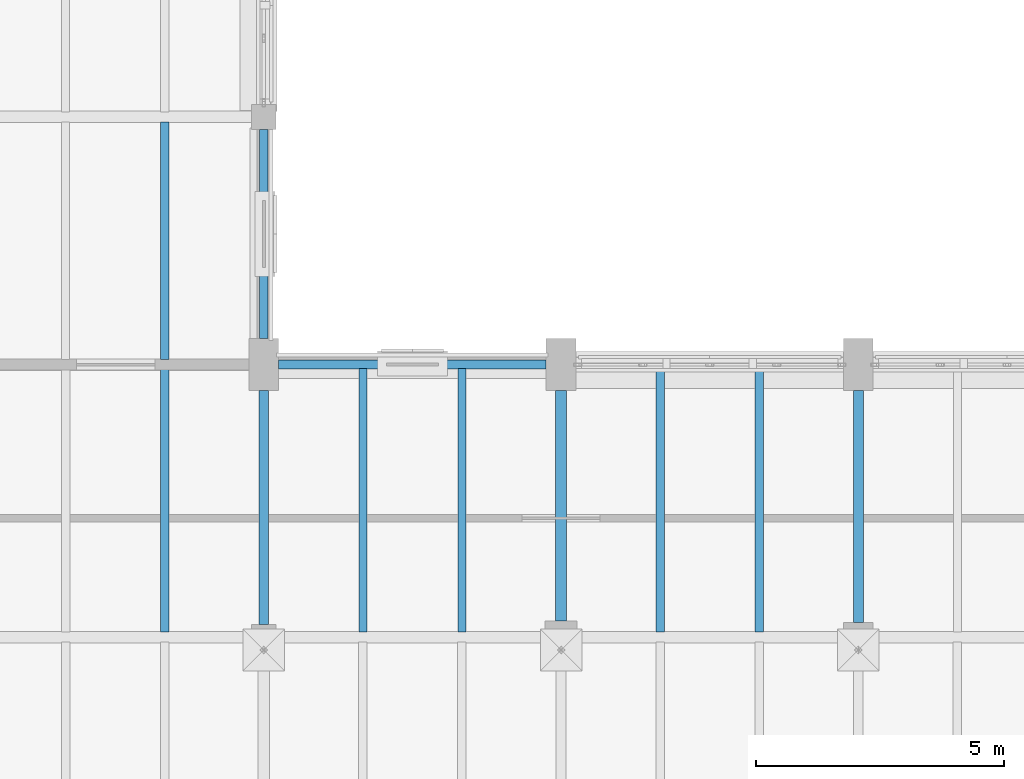
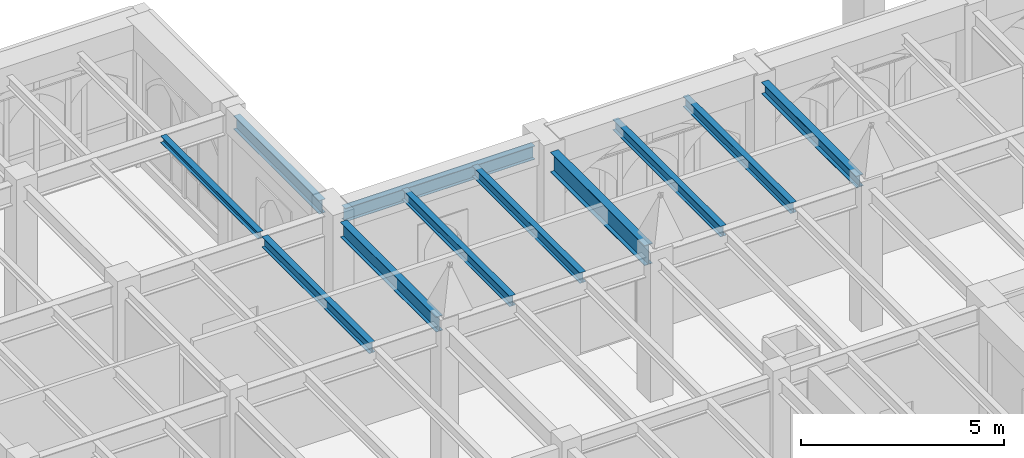
# One storey, part 55 of 143: 11 beams.
"""IFC4 building model written with IfcOpenShell, lengths in metres."""

from ifc_helpers import new_model, si_unit, direction, frame, origin, origin_2d, place, context, subcontext, project, spatial, i_section, extrude, material, material_profile, profile_set, type_object, element, save


model = new_model("IFC4")

# Units and contexts
model_context = context("Model", 3, precision=1e-05, world=origin(), true_north=direction((0.0, 1.0)))
body_context = subcontext(model_context, "Body", "Model", "MODEL_VIEW")
ifc_project = project(units=[si_unit("LENGTHUNIT", "METRE"), si_unit("AREAUNIT", "SQUARE_METRE"), si_unit("VOLUMEUNIT", "CUBIC_METRE"), si_unit("PLANEANGLEUNIT", "RADIAN"), si_unit("MASSUNIT", "GRAM", prefix="KILO")], contexts=[model_context])

# Site, building, storey
site_placement = place(None, origin())
site = spatial("IfcSite", under=ifc_project, at=site_placement, CompositionType="ELEMENT")
building_placement = place(site_placement, origin())
building = spatial("IfcBuilding", under=site, at=building_placement, Name="Cumevento Cable Car Station", CompositionType="ELEMENT")
storey_placement = place(building_placement, frame((0.0, 0.0, 9.0)))
storey = spatial("IfcBuildingStorey", under=building, at=storey_placement, Name="L03", CompositionType="ELEMENT", Elevation=9.0)

# Beams
ifc_material_1 = material(Name="Steel ASTM A572 Grade 50", Category="steel")
ifc_material_profile_1 = material_profile(ifc_material_1, i_section(OverallWidth=0.22802734375, OverallDepth=0.60791015625, WebThickness=0.01123046875, FlangeThickness=0.017333984375, at=origin_2d()), Name="W610x113.0")
ifc_profile_set_1 = profile_set([ifc_material_profile_1], Name="Steel ASTM A572 Grade 50")
beam_type_1 = type_object("IfcBeamType", Name="Structural Beam BM-02 W610x113.0", PredefinedType="BEAM", material=ifc_profile_set_1)
beam_1_placement = place(storey_placement, frame((76.0, 51.324951171875, 3.947998046875), z_axis=(0.0, 1.0, 0.0), x_axis=(-1.0, 0.0, 0.0)))
element("IfcBeam", 1, at=beam_1_placement, inside=storey, type_object=beam_type_1, Name="Beam BM-02 L03 #1078", PredefinedType="BEAM", context=body_context, shape_type="SweptSolid", body=[
    extrude(i_section(OverallWidth=0.22802734375, OverallDepth=0.60791015625, WebThickness=0.01123046875, FlangeThickness=0.017333984375, at=origin_2d()), origin(), (0.0, 0.0, 1.0), 4.650146484375),
])
ifc_material_2 = material(Name="Steel ASTM A572 Grade 50", Category="steel")
ifc_material_profile_2 = material_profile(ifc_material_2, i_section(OverallWidth=0.18994140625, OverallDepth=0.45703125, WebThickness=0.009033203125, FlangeThickness=0.014404296875, at=origin_2d()), Name="W460x74.0")
ifc_profile_set_2 = profile_set([ifc_material_profile_2], Name="Steel ASTM A572 Grade 50")
beam_type_2 = type_object("IfcBeamType", Name="Structural Beam BM-04 W460x74.0", PredefinedType="BEAM", material=ifc_profile_set_2)
beam_2_placement = place(storey_placement, frame((70.0, 51.25, 4.011474609375), z_axis=(0.0, 1.0, 0.0), x_axis=(-1.0, 0.0, 0.0)))
element("IfcBeam", 2, at=beam_2_placement, inside=storey, type_object=beam_type_2, Name="Beam BM-04 L03 #1076", PredefinedType="BEAM", context=body_context, shape_type="SweptSolid", body=[
    extrude(i_section(OverallWidth=0.18994140625, OverallDepth=0.45703125, WebThickness=0.009033203125, FlangeThickness=0.014404296875, at=origin_2d()), origin(), (0.0, 0.0, 1.0), 4.72509765625),
])
ifc_material_3 = material(Name="Steel ASTM A572 Grade 50", Category="steel")
ifc_material_profile_3 = material_profile(ifc_material_3, i_section(OverallWidth=0.205078125, OverallDepth=0.35400390625, WebThickness=0.009521484375, FlangeThickness=0.016845703125, at=origin_2d()), Name="W360x79.0")
ifc_profile_set_3 = profile_set([ifc_material_profile_3], Name="Steel ASTM A572 Grade 50")
beam_type_3 = type_object("IfcBeamType", Name="Structural Beam BM-05 W360x79.0", PredefinedType="BEAM", material=ifc_profile_set_3)
beam_3_placement = place(storey_placement, frame((82.0, 51.300048828125, 4.074951171875), z_axis=(0.0, 1.0, 0.0), x_axis=(-1.0, 0.0, 0.0)))
element("IfcBeam", 3, at=beam_3_placement, inside=storey, type_object=beam_type_3, Name="Beam BM-05 L03 #1080", PredefinedType="BEAM", context=body_context, shape_type="SweptSolid", body=[
    extrude(i_section(OverallWidth=0.205078125, OverallDepth=0.35400390625, WebThickness=0.009521484375, FlangeThickness=0.016845703125, at=origin_2d()), origin(), (0.0, 0.0, 1.0), 4.675048828125),
])
ifc_material_4 = material(Name="Steel ASTM A572 Grade 50", Category="steel")
ifc_material_profile_4 = material_profile(ifc_material_4, i_section(OverallWidth=0.1669921875, OverallDepth=0.31689453125, WebThickness=0.007568359375, FlangeThickness=0.01318359375, at=origin_2d()), Name="W310x52.0")
ifc_profile_set_4 = profile_set([ifc_material_profile_4], Name="Steel ASTM A572 Grade 50")
beam_type_4 = type_object("IfcBeamType", Name="Structural Joist JS-02 W310x52.0", PredefinedType="JOIST", material=ifc_profile_set_4)
beam_4_placement = place(storey_placement, frame((68.0, 51.10302734375, 4.08154296875), z_axis=(0.0, 1.0, 0.0), x_axis=(-1.0, 0.0, 0.0)))
element("IfcBeam", 4, at=beam_4_placement, inside=storey, type_object=beam_type_4, Name="Composite Floor Joist JS-02 L03 #1251", PredefinedType="JOIST", context=body_context, shape_type="SweptSolid", body=[
    extrude(i_section(OverallWidth=0.1669921875, OverallDepth=0.31689453125, WebThickness=0.007568359375, FlangeThickness=0.01318359375, at=origin_2d()), origin(), (0.0, 0.0, 1.0), 5.2939453125),
])
for number, where, z_axis, x_axis, name in (
    (5, (72.0, 51.10302734375, 4.093505859375), (0.0, 1.0, 0.0), (-1.0, 0.0, 0.0), "Composite Floor Joist JS-02 L03 #1253"),
    (6, (74.0, 51.10302734375, 4.093505859375), (0.0, 1.0, 0.0), (-1.0, 0.0, 0.0), "Composite Floor Joist JS-02 L03 #1255"),
    (7, (78.0, 51.10302734375, 4.093505859375), (0.0, 1.0, 0.0), (-1.0, 0.0, 0.0), "Composite Floor Joist JS-02 L03 #1257"),
    (8, (80.0, 51.10302734375, 4.093505859375), (0.0, 1.0, 0.0), (-1.0, 0.0, 0.0), "Composite Floor Joist JS-02 L03 #1259"),
):
    element("IfcBeam", number, at=place(storey_placement, frame(where, z_axis=z_axis, x_axis=x_axis)), inside=storey, type_object=beam_type_4, Name=name, PredefinedType="JOIST", context=body_context, shape_type="SweptSolid", body=[
        extrude(i_section(OverallWidth=0.1669921875, OverallDepth=0.31689453125, WebThickness=0.007568359375, FlangeThickness=0.01318359375, at=origin_2d()), origin(), (0.0, 0.0, 1.0), 5.320068359375),
    ])
ifc_material_5 = material(Name="Steel ASTM A572 Grade 50", Category="steel")
ifc_material_profile_5 = material_profile(ifc_material_5, i_section(OverallWidth=0.1650390625, OverallDepth=0.200927734375, WebThickness=0.006103515625, FlangeThickness=0.01025390625, at=origin_2d()), Name="W200x35.9")
ifc_profile_set_5 = profile_set([ifc_material_profile_5], Name="Steel ASTM A572 Grade 50")
beam_type_5 = type_object("IfcBeamType", Name="Structural Joist JS-04 W200x35.9", PredefinedType="JOIST", material=ifc_profile_set_5)
beam_5_placement = place(storey_placement, frame((68.0, 56.60302734375, 4.139404296875), z_axis=(0.0, 1.0, 0.0), x_axis=(-1.0, 0.0, 0.0)))
element("IfcBeam", 9, at=beam_5_placement, inside=storey, type_object=beam_type_5, Name="Composite Floor Joist JS-04 L03 #1294", PredefinedType="JOIST", context=body_context, shape_type="SweptSolid", body=[
    extrude(i_section(OverallWidth=0.1650390625, OverallDepth=0.200927734375, WebThickness=0.006103515625, FlangeThickness=0.01025390625, at=origin_2d()), origin(), (0.0, 0.0, 1.0), 4.7939453125),
])
ifc_material_6 = material(Name="Steel ASTM A572 Grade 50", Category="steel")
ifc_material_profile_6 = material_profile(ifc_material_6, i_section(OverallWidth=0.177978515625, OverallDepth=0.406982421875, WebThickness=0.0078125, FlangeThickness=0.0126953125, at=origin_2d()), Name="W410x60.0")
ifc_profile_set_6 = profile_set([ifc_material_profile_6], Name="Steel ASTM A572 Grade 50")
beam_type_6 = type_object("IfcBeamType", Name="Structural Spandrel SP-01 W410x60.0", PredefinedType="SPANDREL", material=ifc_profile_set_6)
beam_6_placement = place(storey_placement, frame((70.300048828125, 56.5, 4.03662109375), z_axis=(1.0, 0.0, 0.0), x_axis=(0.0, 1.0, 0.0)))
element("IfcBeam", 10, at=beam_6_placement, inside=storey, type_object=beam_type_6, Name="Beam SP-01 L03 #1072", PredefinedType="SPANDREL", context=body_context, shape_type="SweptSolid", body=[
    extrude(i_section(OverallWidth=0.177978515625, OverallDepth=0.406982421875, WebThickness=0.0078125, FlangeThickness=0.0126953125, at=origin_2d()), origin(), (0.0, 0.0, 1.0), 5.39990234375),
])
beam_7_placement = place(storey_placement, frame((70.0, 57.02490234375, 4.03662109375), z_axis=(0.0, 1.0, 0.0), x_axis=(-1.0, 0.0, 0.0)))
element("IfcBeam", 11, at=beam_7_placement, inside=storey, type_object=beam_type_6, Name="Beam SP-01 L03 #1120", PredefinedType="SPANDREL", context=body_context, shape_type="SweptSolid", body=[
    extrude(i_section(OverallWidth=0.177978515625, OverallDepth=0.406982421875, WebThickness=0.0078125, FlangeThickness=0.0126953125, at=origin_2d()), origin(), (0.0, 0.0, 1.0), 4.22509765625),
])

save(model, "model.ifc")
